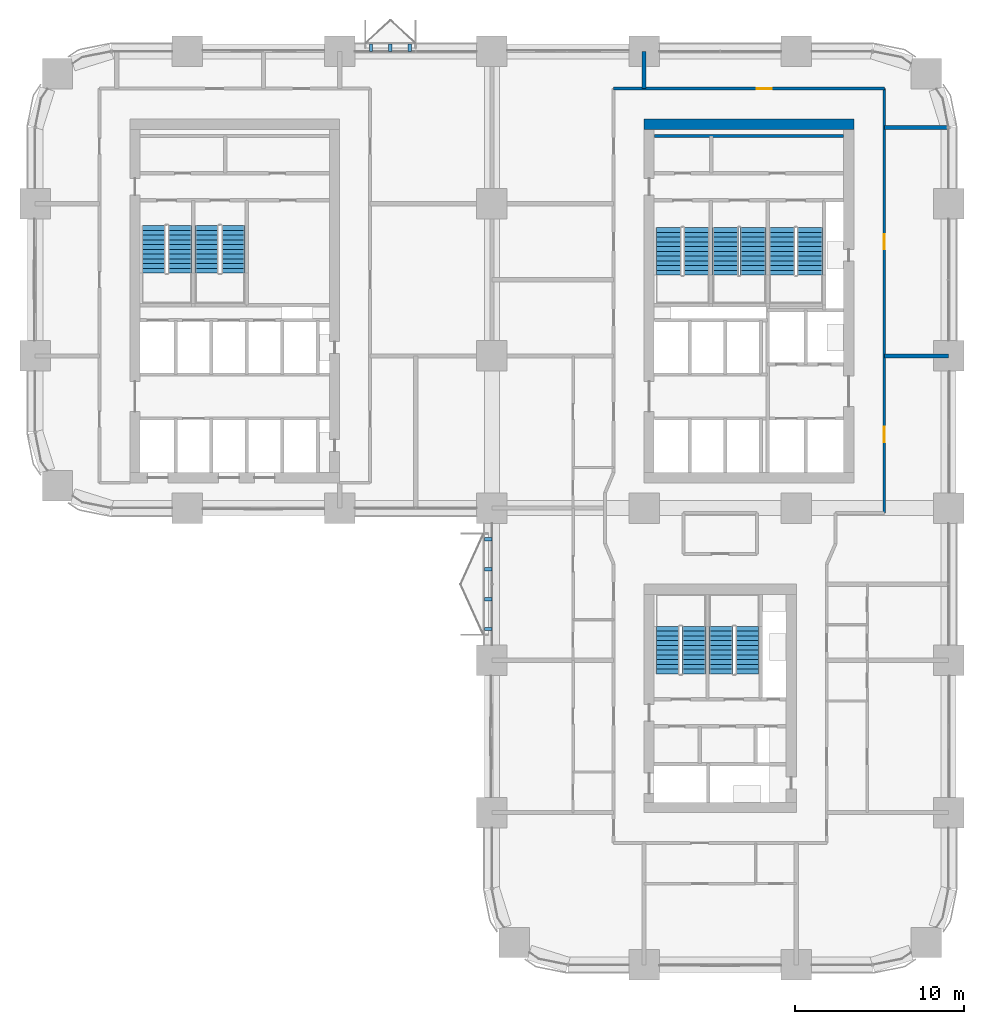
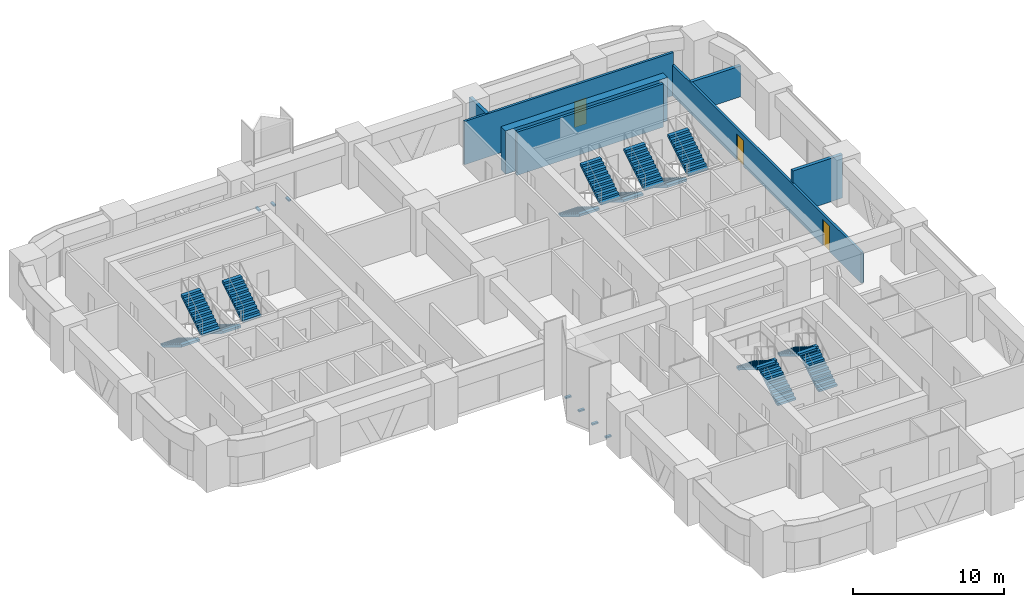
# One storey, part 16 of 18: 14 stair flights, 7 discrete accessories, 7 walls, 3 doors, 3 openings, 7 elements without a shape of their own.
"""IFC4 building model written with IfcOpenShell, lengths in metres."""

from ifc_helpers import new_model, si_unit, direction, frame, frame_2d, origin, origin_2d, place, context, subcontext, project, spatial, polyline, rectangle, outline, extrude, material, layer, layer_set, type_object, element, fill, aggregate, save


model = new_model("IFC4")

# Units and contexts
model_context = context("Model", 3, precision=1e-05, world=origin(), true_north=direction((0.0, 1.0)))
body_context = subcontext(model_context, "Body", "Model", "MODEL_VIEW")
ifc_project = project(units=[si_unit("LENGTHUNIT", "METRE"), si_unit("AREAUNIT", "SQUARE_METRE"), si_unit("VOLUMEUNIT", "CUBIC_METRE"), si_unit("PLANEANGLEUNIT", "RADIAN"), si_unit("MASSUNIT", "GRAM", prefix="KILO")], contexts=[model_context])

# Site, building, storey
site_placement = place(None, origin())
site = spatial("IfcSite", under=ifc_project, at=site_placement, CompositionType="ELEMENT")
building_placement = place(site_placement, origin())
building = spatial("IfcBuilding", under=site, at=building_placement, Name="Tessera Arch", CompositionType="ELEMENT")
storey_placement = place(building_placement, frame((0.0, 0.0, 100.60009765625)))
storey = spatial("IfcBuildingStorey", under=building, at=storey_placement, Name="L23", CompositionType="ELEMENT", Elevation=100.60009765625)

# Walls
ifc_material_1 = material(Name="Gypsum board on steel stud", Category="steel")
ifc_layer_1 = layer(ifc_material_1, 0.125)
ifc_layer_set_1 = layer_set([ifc_layer_1], Name="Core partition 125 EI 60")
wall_type_1 = type_object("IfcWallType", Name="Core partition 125 EI 60", PredefinedType="PARTITIONING", material=ifc_layer_set_1)
wall_1_placement = place(storey_placement, frame((36.60009765625, 49.0, 0.0), z_axis=(0.0, 0.0, 1.0), x_axis=(1.0, 0.0, 0.0)))
element("IfcWall", 1, at=wall_1_placement, inside=storey, type_object=wall_type_1, Name="L23 C1 partition wall 32", PredefinedType="PARTITIONING", context=body_context, shape_type="SweptSolid", body=[
    extrude(rectangle(XDim=11.199951171875, YDim=0.199951171875, at=frame_2d((5.60009765625, 0.0))), origin(), (0.0, 0.0, 1.0), 3.5),
])
ifc_material_2 = material(Name="Concrete C70/85", Category="concrete")
ifc_layer_2 = layer(ifc_material_2, 0.60009765625)
ifc_layer_set_2 = layer_set([ifc_layer_2], Name="Core shell wall 600 C70-85")
wall_type_2 = type_object("IfcWallType", Name="Core shell wall 600 C70-85", PredefinedType="SHEAR", material=ifc_layer_set_2)
wall_2_placement = place(storey_placement, frame((36.0, 49.699951171875, 0.0), z_axis=(0.0, 0.0, 1.0), x_axis=(1.0, 0.0, 0.0)))
element("IfcWall", 2, at=wall_2_placement, inside=storey, type_object=wall_type_2, Name="L23 C1 core wall N", PredefinedType="SHEAR", context=body_context, shape_type="SweptSolid", body=[
    extrude(rectangle(XDim=12.39990234375, YDim=0.60009765625, at=frame_2d((6.199951171875, 0.0))), origin(), (0.0, 0.0, 1.0), 3.5),
])

# Wall, opening, door
ifc_material_3 = material(Name="Gypsum board on deep steel stud with mineral wool", Category="steel")
ifc_layer_3 = layer(ifc_material_3, 0.175048828125)
ifc_layer_set_3 = layer_set([ifc_layer_3], Name="Corridor wall 175 EI 60")
wall_type_3 = type_object("IfcWallType", Name="Corridor wall 175 EI 60", PredefinedType="PARTITIONING", material=ifc_layer_set_3)
wall_3_placement = place(storey_placement, frame((34.199951171875, 51.800048828125, 0.0), z_axis=(0.0, 0.0, 1.0), x_axis=(1.0, 0.0, 0.0)))
wall_3 = element("IfcWall", 3, at=wall_3_placement, inside=storey, type_object=wall_type_3, Name="L23 partition 8", PredefinedType="PARTITIONING", context=body_context, shape_type="SweptSolid", body=[
    extrude(rectangle(XDim=16.0, YDim=0.175048828125, at=frame_2d((8.0, 0.0))), origin(), (0.0, 0.0, 1.0), 3.5),
])
opening_1_placement = place(wall_3_placement, frame((8.449951171875, 0.0, 0.0)))
opening_1 = element("IfcOpeningElement", 4, at=opening_1_placement, cuts=wall_3, Name="Opening L23-D033", PredefinedType="OPENING", context=body_context, shape_type="SweptSolid", body=[
    extrude(rectangle(XDim=0.89990234375, YDim=2.10009765625, at=frame_2d((0.449951171875, 1.050048828125))), frame((0.0, 0.097412109375, 0.0), z_axis=(0.0, -1.0, 0.0), x_axis=(1.0, 0.0, 0.0)), (0.0, 0.0, 1.0), 0.195068359375),
])
ifc_material_4 = material(Name="Timber door leaf", Category="wood")
door_type = type_object("IfcDoorType", Name="Room door 900 x 2100", OperationType="SINGLE_SWING_LEFT", PredefinedType="DOOR", material=ifc_material_4)
door_1_placement = place(opening_1_placement, origin())
door_1 = element("IfcDoor", 5, at=door_1_placement, inside=storey, type_object=door_type, Name="L23 door D033 type D01", OperationType="SINGLE_SWING_LEFT", OverallHeight=2.10009765625, OverallWidth=0.89990234375, PredefinedType="DOOR", context=body_context, shape_type="SweptSolid", body=[
    extrude(rectangle(XDim=0.89990234375, YDim=2.10009765625, at=frame_2d((0.449951171875, 1.050048828125))), frame((0.0, 0.02490234375, 0.0), z_axis=(0.0, -1.0, 0.0), x_axis=(1.0, 0.0, 0.0)), (0.0, 0.0, 1.0), 0.050048828125),
])
fill(opening_1, door_1)

# Wall, openings, doors
wall_4_placement = place(storey_placement, frame((50.199951171875, 26.699951171875, 0.0), z_axis=(0.0, 0.0, 1.0), x_axis=(0.0, 1.0, 0.0)))
wall_4 = element("IfcWall", 6, at=wall_4_placement, inside=storey, type_object=wall_type_3, Name="L23 partition 18", PredefinedType="PARTITIONING", context=body_context, shape_type="SweptSolid", body=[
    extrude(rectangle(XDim=25.10009765625, YDim=0.175048828125, at=frame_2d((12.550048828125, 0.0))), origin(), (0.0, 0.0, 1.0), 2.5),
])
opening_2_placement = place(wall_4_placement, frame((4.199951171875, 0.0, 0.0)))
opening_2 = element("IfcOpeningElement", 7, at=opening_2_placement, cuts=wall_4, Name="Opening L23-D019", PredefinedType="OPENING", context=body_context, shape_type="SweptSolid", body=[
    extrude(rectangle(XDim=0.89990234375, YDim=2.10009765625, at=frame_2d((0.449951171875, 1.050048828125))), frame((0.0, 0.097412109375, 0.0), z_axis=(0.0, -1.0, 0.0), x_axis=(1.0, 0.0, 0.0)), (0.0, 0.0, 1.0), 0.195068359375),
])
opening_3_placement = place(wall_4_placement, frame((15.60009765625, 0.0, 0.0)))
opening_3 = element("IfcOpeningElement", 8, at=opening_3_placement, cuts=wall_4, Name="Opening L23-D029", PredefinedType="OPENING", context=body_context, shape_type="SweptSolid", body=[
    extrude(rectangle(XDim=0.89990234375, YDim=2.10009765625, at=frame_2d((0.449951171875, 1.050048828125))), frame((0.0, 0.097412109375, 0.0), z_axis=(0.0, -1.0, 0.0), x_axis=(1.0, 0.0, 0.0)), (0.0, 0.0, 1.0), 0.195068359375),
])
door_2_placement = place(opening_2_placement, origin())
door_2 = element("IfcDoor", 9, at=door_2_placement, inside=storey, type_object=door_type, Name="L23 door D019 type D01", OperationType="SINGLE_SWING_RIGHT", OverallHeight=2.10009765625, OverallWidth=0.89990234375, PredefinedType="DOOR", context=body_context, shape_type="SweptSolid", body=[
    extrude(rectangle(XDim=0.89990234375, YDim=2.10009765625, at=frame_2d((0.449951171875, 1.050048828125))), frame((0.0, 0.02490234375, 0.0), z_axis=(0.0, -1.0, 0.0), x_axis=(1.0, 0.0, 0.0)), (0.0, 0.0, 1.0), 0.050048828125),
])
fill(opening_2, door_2)
door_3_placement = place(opening_3_placement, origin())
door_3 = element("IfcDoor", 10, at=door_3_placement, inside=storey, type_object=door_type, Name="L23 door D029 type D01", OperationType="SINGLE_SWING_RIGHT", OverallHeight=2.10009765625, OverallWidth=0.89990234375, PredefinedType="DOOR", context=body_context, shape_type="SweptSolid", body=[
    extrude(rectangle(XDim=0.89990234375, YDim=2.10009765625, at=frame_2d((0.449951171875, 1.050048828125))), frame((0.0, 0.02490234375, 0.0), z_axis=(0.0, -1.0, 0.0), x_axis=(1.0, 0.0, 0.0)), (0.0, 0.0, 1.0), 0.050048828125),
])
fill(opening_3, door_3)

# Walls
ifc_material_5 = material(Name="Double gypsum board on twin steel stud with acoustic mineral wool", Category="steel")
ifc_layer_4 = layer(ifc_material_5, 0.25)
ifc_layer_set_4 = layer_set([ifc_layer_4], Name="Party wall 250 EI 60")
wall_type_4 = type_object("IfcWallType", Name="Party wall 250 EI 60", PredefinedType="PARTITIONING", material=ifc_layer_set_4)
wall_5_placement = place(storey_placement, frame((50.199951171875, 36.0, 0.0), z_axis=(0.0, 0.0, 1.0), x_axis=(1.0, 0.0, 0.0)))
element("IfcWall", 11, at=wall_5_placement, inside=storey, type_object=wall_type_4, Name="L23 partition 33", PredefinedType="PARTITIONING", context=body_context, shape_type="SweptSolid", body=[
    extrude(rectangle(XDim=3.800048828125, YDim=0.25, at=frame_2d((1.89990234375, 0.0))), origin(), (0.0, 0.0, 1.0), 3.5),
])
wall_6_placement = place(storey_placement, frame((50.199951171875, 49.5, 0.0), z_axis=(0.0, 0.0, 1.0), x_axis=(1.0, 0.0, 0.0)))
element("IfcWall", 12, at=wall_6_placement, inside=storey, type_object=wall_type_4, Name="L23 partition 37", PredefinedType="PARTITIONING", context=body_context, shape_type="SweptSolid", body=[
    extrude(rectangle(XDim=3.800048828125, YDim=0.25, at=frame_2d((1.89990234375, 0.0))), origin(), (0.0, 0.0, 1.0), 2.5),
])
wall_7_placement = place(storey_placement, frame((36.0, 51.800048828125, 0.0), z_axis=(0.0, 0.0, 1.0), x_axis=(0.0, 1.0, 0.0)))
element("IfcWall", 13, at=wall_7_placement, inside=storey, type_object=wall_type_4, Name="L23 partition 45", PredefinedType="PARTITIONING", context=body_context, shape_type="SweptSolid", body=[
    extrude(rectangle(XDim=2.199951171875, YDim=0.25, at=frame_2d((1.10009765625, 0.0))), origin(), (0.0, 0.0, 1.0), 3.5),
])

# Stair, stair flights
ifc_material_6 = material(Name="Concrete C40/50", Category="concrete")
stair_type_1 = type_object("IfcStairType", Name="Dogleg stair 1400", PredefinedType="HALF_TURN_STAIR", material=ifc_material_6)
stair_1_placement = place(storey_placement, origin())
stair_1 = element("IfcStair", 14, at=stair_1_placement, inside=storey, type_object=stair_type_1, Name="L23 S2a", PredefinedType="HALF_TURN_STAIR")
ifc_material_7 = material(Name="Concrete C40/50", Category="concrete")
stair_flight_type_1 = type_object("IfcStairFlightType", Name="Stair flight 1400", PredefinedType="STRAIGHT", material=ifc_material_7)
stair_flight_1_placement = place(storey_placement, frame((7.0, 43.699951171875, 0.0), z_axis=(0.0, 0.0, 1.0), x_axis=(0.0, -1.0, 0.0)))
stair_flight_1 = element("IfcStairFlight", 15, at=stair_flight_1_placement, type_object=stair_flight_type_1, Name="S2a flight 1", NumberOfRisers=11, NumberOfTreads=10, PredefinedType="STRAIGHT", RiserHeight=0.172727273, TreadLength=0.28, context=body_context, shape_type="SweptSolid", body=[
    extrude(outline(polyline([(0.0, 0.0), (0.0, 0.172607421875), (0.280029296875, 0.172607421875), (0.280029296875, 0.345458984375), (0.56005859375, 0.345458984375), (0.56005859375, 0.51806640625), (0.840087890625, 0.51806640625), (0.840087890625, 0.69091796875), (1.1201171875, 0.69091796875), (1.1201171875, 0.863525390625), (1.39990234375, 0.863525390625), (1.39990234375, 1.036376953125), (1.679931640625, 1.036376953125), (1.679931640625, 1.208984375), (1.9599609375, 1.208984375), (1.9599609375, 1.3818359375), (2.239990234375, 1.3818359375), (2.239990234375, 1.554443359375), (2.52001953125, 1.554443359375), (2.52001953125, 1.727294921875), (2.800048828125, 1.727294921875), (2.800048828125, 1.89990234375), (2.800048828125, 1.551025390625), (0.285400390625, 0.0), (0.0, 0.0)])), frame((0.0, 0.699951171875, 0.0), z_axis=(0.0, -1.0, 0.0), x_axis=(1.0, 0.0, 0.0)), (0.0, 0.0, 1.0), 1.39990234375),
])
stair_flight_2_placement = place(storey_placement, frame((8.550048828125, 40.89990234375, 1.89990234375), z_axis=(0.0, 0.0, 1.0), x_axis=(0.0, 1.0, 0.0)))
stair_flight_2 = element("IfcStairFlight", 16, at=stair_flight_2_placement, type_object=stair_flight_type_1, Name="S2a flight 2", NumberOfRisers=11, NumberOfTreads=10, PredefinedType="STRAIGHT", RiserHeight=0.172727273, TreadLength=0.28, context=body_context, shape_type="SweptSolid", body=[
    extrude(outline(polyline([(0.0, 0.0), (0.0, 0.172607421875), (0.280029296875, 0.172607421875), (0.280029296875, 0.345458984375), (0.56005859375, 0.345458984375), (0.56005859375, 0.51806640625), (0.840087890625, 0.51806640625), (0.840087890625, 0.69091796875), (1.1201171875, 0.69091796875), (1.1201171875, 0.863525390625), (1.39990234375, 0.863525390625), (1.39990234375, 1.036376953125), (1.679931640625, 1.036376953125), (1.679931640625, 1.208984375), (1.9599609375, 1.208984375), (1.9599609375, 1.3818359375), (2.239990234375, 1.3818359375), (2.239990234375, 1.554443359375), (2.52001953125, 1.554443359375), (2.52001953125, 1.727294921875), (2.800048828125, 1.727294921875), (2.800048828125, 1.89990234375), (2.800048828125, 1.551025390625), (0.285400390625, 0.0), (0.0, 0.0)])), frame((0.0, 0.699951171875, 0.0), z_axis=(0.0, -1.0, 0.0), x_axis=(1.0, 0.0, 0.0)), (0.0, 0.0, 1.0), 1.39990234375),
])
aggregate(stair_1, [stair_flight_1, stair_flight_2])

stair_2_placement = place(storey_placement, origin())
stair_2 = element("IfcStair", 17, at=stair_2_placement, inside=storey, type_object=stair_type_1, Name="L23 S2b", PredefinedType="HALF_TURN_STAIR")
stair_flight_3_placement = place(storey_placement, frame((10.14990234375, 43.699951171875, 0.0), z_axis=(0.0, 0.0, 1.0), x_axis=(0.0, -1.0, 0.0)))
stair_flight_3 = element("IfcStairFlight", 18, at=stair_flight_3_placement, type_object=stair_flight_type_1, Name="S2b flight 1", NumberOfRisers=11, NumberOfTreads=10, PredefinedType="STRAIGHT", RiserHeight=0.172727273, TreadLength=0.28, context=body_context, shape_type="SweptSolid", body=[
    extrude(outline(polyline([(0.0, 0.0), (0.0, 0.172607421875), (0.280029296875, 0.172607421875), (0.280029296875, 0.345458984375), (0.56005859375, 0.345458984375), (0.56005859375, 0.51806640625), (0.840087890625, 0.51806640625), (0.840087890625, 0.69091796875), (1.1201171875, 0.69091796875), (1.1201171875, 0.863525390625), (1.39990234375, 0.863525390625), (1.39990234375, 1.036376953125), (1.679931640625, 1.036376953125), (1.679931640625, 1.208984375), (1.9599609375, 1.208984375), (1.9599609375, 1.3818359375), (2.239990234375, 1.3818359375), (2.239990234375, 1.554443359375), (2.52001953125, 1.554443359375), (2.52001953125, 1.727294921875), (2.800048828125, 1.727294921875), (2.800048828125, 1.89990234375), (2.800048828125, 1.551025390625), (0.285400390625, 0.0), (0.0, 0.0)])), frame((0.0, 0.699951171875, 0.0), z_axis=(0.0, -1.0, 0.0), x_axis=(1.0, 0.0, 0.0)), (0.0, 0.0, 1.0), 1.39990234375),
])
stair_flight_4_placement = place(storey_placement, frame((11.699951171875, 40.89990234375, 1.89990234375), z_axis=(0.0, 0.0, 1.0), x_axis=(0.0, 1.0, 0.0)))
stair_flight_4 = element("IfcStairFlight", 19, at=stair_flight_4_placement, type_object=stair_flight_type_1, Name="S2b flight 2", NumberOfRisers=11, NumberOfTreads=10, PredefinedType="STRAIGHT", RiserHeight=0.172727273, TreadLength=0.28, context=body_context, shape_type="SweptSolid", body=[
    extrude(outline(polyline([(0.0, 0.0), (0.0, 0.172607421875), (0.280029296875, 0.172607421875), (0.280029296875, 0.345458984375), (0.56005859375, 0.345458984375), (0.56005859375, 0.51806640625), (0.840087890625, 0.51806640625), (0.840087890625, 0.69091796875), (1.1201171875, 0.69091796875), (1.1201171875, 0.863525390625), (1.39990234375, 0.863525390625), (1.39990234375, 1.036376953125), (1.679931640625, 1.036376953125), (1.679931640625, 1.208984375), (1.9599609375, 1.208984375), (1.9599609375, 1.3818359375), (2.239990234375, 1.3818359375), (2.239990234375, 1.554443359375), (2.52001953125, 1.554443359375), (2.52001953125, 1.727294921875), (2.800048828125, 1.727294921875), (2.800048828125, 1.89990234375), (2.800048828125, 1.551025390625), (0.285400390625, 0.0), (0.0, 0.0)])), frame((0.0, 0.699951171875, 0.0), z_axis=(0.0, -1.0, 0.0), x_axis=(1.0, 0.0, 0.0)), (0.0, 0.0, 1.0), 1.39990234375),
])
aggregate(stair_2, [stair_flight_3, stair_flight_4])

stair_3_placement = place(storey_placement, origin())
stair_3 = element("IfcStair", 20, at=stair_3_placement, inside=storey, type_object=stair_type_1, Name="L23 S3a", PredefinedType="HALF_TURN_STAIR")
stair_flight_5_placement = place(storey_placement, frame((38.949951171875, 17.199951171875, 0.0), z_axis=(0.0, 0.0, 1.0), x_axis=(0.0, 1.0, 0.0)))
stair_flight_5 = element("IfcStairFlight", 21, at=stair_flight_5_placement, type_object=stair_flight_type_1, Name="S3a flight 1", NumberOfRisers=11, NumberOfTreads=10, PredefinedType="STRAIGHT", RiserHeight=0.172727273, TreadLength=0.28, context=body_context, shape_type="SweptSolid", body=[
    extrude(outline(polyline([(0.0, 0.0), (0.0, 0.172607421875), (0.280029296875, 0.172607421875), (0.280029296875, 0.345458984375), (0.56005859375, 0.345458984375), (0.56005859375, 0.51806640625), (0.840087890625, 0.51806640625), (0.840087890625, 0.69091796875), (1.1201171875, 0.69091796875), (1.1201171875, 0.863525390625), (1.39990234375, 0.863525390625), (1.39990234375, 1.036376953125), (1.679931640625, 1.036376953125), (1.679931640625, 1.208984375), (1.9599609375, 1.208984375), (1.9599609375, 1.3818359375), (2.239990234375, 1.3818359375), (2.239990234375, 1.554443359375), (2.52001953125, 1.554443359375), (2.52001953125, 1.727294921875), (2.800048828125, 1.727294921875), (2.800048828125, 1.89990234375), (2.800048828125, 1.551025390625), (0.285400390625, 0.0), (0.0, 0.0)])), frame((0.0, 0.699951171875, 0.0), z_axis=(0.0, -1.0, 0.0), x_axis=(1.0, 0.0, 0.0)), (0.0, 0.0, 1.0), 1.39990234375),
])
stair_flight_6_placement = place(storey_placement, frame((37.39990234375, 20.0, 1.89990234375), z_axis=(0.0, 0.0, 1.0), x_axis=(0.0, -1.0, 0.0)))
stair_flight_6 = element("IfcStairFlight", 22, at=stair_flight_6_placement, type_object=stair_flight_type_1, Name="S3a flight 2", NumberOfRisers=11, NumberOfTreads=10, PredefinedType="STRAIGHT", RiserHeight=0.172727273, TreadLength=0.28, context=body_context, shape_type="SweptSolid", body=[
    extrude(outline(polyline([(0.0, 0.0), (0.0, 0.172607421875), (0.280029296875, 0.172607421875), (0.280029296875, 0.345458984375), (0.56005859375, 0.345458984375), (0.56005859375, 0.51806640625), (0.840087890625, 0.51806640625), (0.840087890625, 0.69091796875), (1.1201171875, 0.69091796875), (1.1201171875, 0.863525390625), (1.39990234375, 0.863525390625), (1.39990234375, 1.036376953125), (1.679931640625, 1.036376953125), (1.679931640625, 1.208984375), (1.9599609375, 1.208984375), (1.9599609375, 1.3818359375), (2.239990234375, 1.3818359375), (2.239990234375, 1.554443359375), (2.52001953125, 1.554443359375), (2.52001953125, 1.727294921875), (2.800048828125, 1.727294921875), (2.800048828125, 1.89990234375), (2.800048828125, 1.551025390625), (0.285400390625, 0.0), (0.0, 0.0)])), frame((0.0, 0.699951171875, 0.0), z_axis=(0.0, -1.0, 0.0), x_axis=(1.0, 0.0, 0.0)), (0.0, 0.0, 1.0), 1.39990234375),
])
aggregate(stair_3, [stair_flight_5, stair_flight_6])

stair_4_placement = place(storey_placement, origin())
stair_4 = element("IfcStair", 23, at=stair_4_placement, inside=storey, type_object=stair_type_1, Name="L23 S3b", PredefinedType="HALF_TURN_STAIR")
stair_flight_7_placement = place(storey_placement, frame((42.10009765625, 17.199951171875, 0.0), z_axis=(0.0, 0.0, 1.0), x_axis=(0.0, 1.0, 0.0)))
stair_flight_7 = element("IfcStairFlight", 24, at=stair_flight_7_placement, type_object=stair_flight_type_1, Name="S3b flight 1", NumberOfRisers=11, NumberOfTreads=10, PredefinedType="STRAIGHT", RiserHeight=0.172727273, TreadLength=0.28, context=body_context, shape_type="SweptSolid", body=[
    extrude(outline(polyline([(0.0, 0.0), (0.0, 0.172607421875), (0.280029296875, 0.172607421875), (0.280029296875, 0.345458984375), (0.56005859375, 0.345458984375), (0.56005859375, 0.51806640625), (0.840087890625, 0.51806640625), (0.840087890625, 0.69091796875), (1.1201171875, 0.69091796875), (1.1201171875, 0.863525390625), (1.39990234375, 0.863525390625), (1.39990234375, 1.036376953125), (1.679931640625, 1.036376953125), (1.679931640625, 1.208984375), (1.9599609375, 1.208984375), (1.9599609375, 1.3818359375), (2.239990234375, 1.3818359375), (2.239990234375, 1.554443359375), (2.52001953125, 1.554443359375), (2.52001953125, 1.727294921875), (2.800048828125, 1.727294921875), (2.800048828125, 1.89990234375), (2.800048828125, 1.551025390625), (0.285400390625, 0.0), (0.0, 0.0)])), frame((0.0, 0.699951171875, 0.0), z_axis=(0.0, -1.0, 0.0), x_axis=(1.0, 0.0, 0.0)), (0.0, 0.0, 1.0), 1.39990234375),
])
stair_flight_8_placement = place(storey_placement, frame((40.550048828125, 20.0, 1.89990234375), z_axis=(0.0, 0.0, 1.0), x_axis=(0.0, -1.0, 0.0)))
stair_flight_8 = element("IfcStairFlight", 25, at=stair_flight_8_placement, type_object=stair_flight_type_1, Name="S3b flight 2", NumberOfRisers=11, NumberOfTreads=10, PredefinedType="STRAIGHT", RiserHeight=0.172727273, TreadLength=0.28, context=body_context, shape_type="SweptSolid", body=[
    extrude(outline(polyline([(0.0, 0.0), (0.0, 0.172607421875), (0.280029296875, 0.172607421875), (0.280029296875, 0.345458984375), (0.56005859375, 0.345458984375), (0.56005859375, 0.51806640625), (0.840087890625, 0.51806640625), (0.840087890625, 0.69091796875), (1.1201171875, 0.69091796875), (1.1201171875, 0.863525390625), (1.39990234375, 0.863525390625), (1.39990234375, 1.036376953125), (1.679931640625, 1.036376953125), (1.679931640625, 1.208984375), (1.9599609375, 1.208984375), (1.9599609375, 1.3818359375), (2.239990234375, 1.3818359375), (2.239990234375, 1.554443359375), (2.52001953125, 1.554443359375), (2.52001953125, 1.727294921875), (2.800048828125, 1.727294921875), (2.800048828125, 1.89990234375), (2.800048828125, 1.551025390625), (0.285400390625, 0.0), (0.0, 0.0)])), frame((0.0, 0.699951171875, 0.0), z_axis=(0.0, -1.0, 0.0), x_axis=(1.0, 0.0, 0.0)), (0.0, 0.0, 1.0), 1.39990234375),
])
aggregate(stair_4, [stair_flight_7, stair_flight_8])

ifc_material_8 = material(Name="Concrete C40/50", Category="concrete")
stair_type_2 = type_object("IfcStairType", Name="Dogleg stair 1520", PredefinedType="HALF_TURN_STAIR", material=ifc_material_8)
stair_5_placement = place(storey_placement, origin())
stair_5 = element("IfcStair", 26, at=stair_5_placement, inside=storey, type_object=stair_type_2, Name="L23 S1a", PredefinedType="HALF_TURN_STAIR")
ifc_material_9 = material(Name="Concrete C40/50", Category="concrete")
stair_flight_type_2 = type_object("IfcStairFlightType", Name="Stair flight 1520", PredefinedType="STRAIGHT", material=ifc_material_9)
stair_flight_9_placement = place(storey_placement, frame((37.4599609375, 43.580078125, 0.0), z_axis=(0.0, 0.0, 1.0), x_axis=(0.0, -1.0, 0.0)))
stair_flight_9 = element("IfcStairFlight", 27, at=stair_flight_9_placement, type_object=stair_flight_type_2, Name="S1a flight 1", NumberOfRisers=11, NumberOfTreads=10, PredefinedType="STRAIGHT", RiserHeight=0.172727273, TreadLength=0.28, context=body_context, shape_type="SweptSolid", body=[
    extrude(outline(polyline([(0.0, 0.0), (0.0, 0.172607421875), (0.280029296875, 0.172607421875), (0.280029296875, 0.345458984375), (0.56005859375, 0.345458984375), (0.56005859375, 0.51806640625), (0.840087890625, 0.51806640625), (0.840087890625, 0.69091796875), (1.1201171875, 0.69091796875), (1.1201171875, 0.863525390625), (1.39990234375, 0.863525390625), (1.39990234375, 1.036376953125), (1.679931640625, 1.036376953125), (1.679931640625, 1.208984375), (1.9599609375, 1.208984375), (1.9599609375, 1.3818359375), (2.239990234375, 1.3818359375), (2.239990234375, 1.554443359375), (2.52001953125, 1.554443359375), (2.52001953125, 1.727294921875), (2.800048828125, 1.727294921875), (2.800048828125, 1.89990234375), (2.800048828125, 1.551025390625), (0.285400390625, 0.0), (0.0, 0.0)])), frame((0.0, 0.760009765625, 0.0), z_axis=(0.0, -1.0, 0.0), x_axis=(1.0, 0.0, 0.0)), (0.0, 0.0, 1.0), 1.52001953125),
])
stair_flight_10_placement = place(storey_placement, frame((39.090087890625, 40.780029296875, 1.89990234375), z_axis=(0.0, 0.0, 1.0), x_axis=(0.0, 1.0, 0.0)))
stair_flight_10 = element("IfcStairFlight", 28, at=stair_flight_10_placement, type_object=stair_flight_type_2, Name="S1a flight 2", NumberOfRisers=11, NumberOfTreads=10, PredefinedType="STRAIGHT", RiserHeight=0.172727273, TreadLength=0.28, context=body_context, shape_type="SweptSolid", body=[
    extrude(outline(polyline([(0.0, 0.0), (0.0, 0.172607421875), (0.280029296875, 0.172607421875), (0.280029296875, 0.345458984375), (0.56005859375, 0.345458984375), (0.56005859375, 0.51806640625), (0.840087890625, 0.51806640625), (0.840087890625, 0.69091796875), (1.1201171875, 0.69091796875), (1.1201171875, 0.863525390625), (1.39990234375, 0.863525390625), (1.39990234375, 1.036376953125), (1.679931640625, 1.036376953125), (1.679931640625, 1.208984375), (1.9599609375, 1.208984375), (1.9599609375, 1.3818359375), (2.239990234375, 1.3818359375), (2.239990234375, 1.554443359375), (2.52001953125, 1.554443359375), (2.52001953125, 1.727294921875), (2.800048828125, 1.727294921875), (2.800048828125, 1.89990234375), (2.800048828125, 1.551025390625), (0.285400390625, 0.0), (0.0, 0.0)])), frame((0.0, 0.760009765625, 0.0), z_axis=(0.0, -1.0, 0.0), x_axis=(1.0, 0.0, 0.0)), (0.0, 0.0, 1.0), 1.52001953125),
])
aggregate(stair_5, [stair_flight_9, stair_flight_10])

stair_6_placement = place(storey_placement, origin())
stair_6 = element("IfcStair", 29, at=stair_6_placement, inside=storey, type_object=stair_type_2, Name="L23 S1b", PredefinedType="HALF_TURN_STAIR")
stair_flight_11_placement = place(storey_placement, frame((40.81005859375, 43.580078125, 0.0), z_axis=(0.0, 0.0, 1.0), x_axis=(0.0, -1.0, 0.0)))
stair_flight_11 = element("IfcStairFlight", 30, at=stair_flight_11_placement, type_object=stair_flight_type_2, Name="S1b flight 1", NumberOfRisers=11, NumberOfTreads=10, PredefinedType="STRAIGHT", RiserHeight=0.172727273, TreadLength=0.28, context=body_context, shape_type="SweptSolid", body=[
    extrude(outline(polyline([(0.0, 0.0), (0.0, 0.172607421875), (0.280029296875, 0.172607421875), (0.280029296875, 0.345458984375), (0.56005859375, 0.345458984375), (0.56005859375, 0.51806640625), (0.840087890625, 0.51806640625), (0.840087890625, 0.69091796875), (1.1201171875, 0.69091796875), (1.1201171875, 0.863525390625), (1.39990234375, 0.863525390625), (1.39990234375, 1.036376953125), (1.679931640625, 1.036376953125), (1.679931640625, 1.208984375), (1.9599609375, 1.208984375), (1.9599609375, 1.3818359375), (2.239990234375, 1.3818359375), (2.239990234375, 1.554443359375), (2.52001953125, 1.554443359375), (2.52001953125, 1.727294921875), (2.800048828125, 1.727294921875), (2.800048828125, 1.89990234375), (2.800048828125, 1.551025390625), (0.285400390625, 0.0), (0.0, 0.0)])), frame((0.0, 0.760009765625, 0.0), z_axis=(0.0, -1.0, 0.0), x_axis=(1.0, 0.0, 0.0)), (0.0, 0.0, 1.0), 1.52001953125),
])
stair_flight_12_placement = place(storey_placement, frame((42.43994140625, 40.780029296875, 1.89990234375), z_axis=(0.0, 0.0, 1.0), x_axis=(0.0, 1.0, 0.0)))
stair_flight_12 = element("IfcStairFlight", 31, at=stair_flight_12_placement, type_object=stair_flight_type_2, Name="S1b flight 2", NumberOfRisers=11, NumberOfTreads=10, PredefinedType="STRAIGHT", RiserHeight=0.172727273, TreadLength=0.28, context=body_context, shape_type="SweptSolid", body=[
    extrude(outline(polyline([(0.0, 0.0), (0.0, 0.172607421875), (0.280029296875, 0.172607421875), (0.280029296875, 0.345458984375), (0.56005859375, 0.345458984375), (0.56005859375, 0.51806640625), (0.840087890625, 0.51806640625), (0.840087890625, 0.69091796875), (1.1201171875, 0.69091796875), (1.1201171875, 0.863525390625), (1.39990234375, 0.863525390625), (1.39990234375, 1.036376953125), (1.679931640625, 1.036376953125), (1.679931640625, 1.208984375), (1.9599609375, 1.208984375), (1.9599609375, 1.3818359375), (2.239990234375, 1.3818359375), (2.239990234375, 1.554443359375), (2.52001953125, 1.554443359375), (2.52001953125, 1.727294921875), (2.800048828125, 1.727294921875), (2.800048828125, 1.89990234375), (2.800048828125, 1.551025390625), (0.285400390625, 0.0), (0.0, 0.0)])), frame((0.0, 0.760009765625, 0.0), z_axis=(0.0, -1.0, 0.0), x_axis=(1.0, 0.0, 0.0)), (0.0, 0.0, 1.0), 1.52001953125),
])
aggregate(stair_6, [stair_flight_11, stair_flight_12])

stair_7_placement = place(storey_placement, origin())
stair_7 = element("IfcStair", 32, at=stair_7_placement, inside=storey, type_object=stair_type_2, Name="L23 S1c", PredefinedType="HALF_TURN_STAIR")
stair_flight_13_placement = place(storey_placement, frame((44.159912109375, 43.580078125, 0.0), z_axis=(0.0, 0.0, 1.0), x_axis=(0.0, -1.0, 0.0)))
stair_flight_13 = element("IfcStairFlight", 33, at=stair_flight_13_placement, type_object=stair_flight_type_2, Name="S1c flight 1", NumberOfRisers=11, NumberOfTreads=10, PredefinedType="STRAIGHT", RiserHeight=0.172727273, TreadLength=0.28, context=body_context, shape_type="SweptSolid", body=[
    extrude(outline(polyline([(0.0, 0.0), (0.0, 0.172607421875), (0.280029296875, 0.172607421875), (0.280029296875, 0.345458984375), (0.56005859375, 0.345458984375), (0.56005859375, 0.51806640625), (0.840087890625, 0.51806640625), (0.840087890625, 0.69091796875), (1.1201171875, 0.69091796875), (1.1201171875, 0.863525390625), (1.39990234375, 0.863525390625), (1.39990234375, 1.036376953125), (1.679931640625, 1.036376953125), (1.679931640625, 1.208984375), (1.9599609375, 1.208984375), (1.9599609375, 1.3818359375), (2.239990234375, 1.3818359375), (2.239990234375, 1.554443359375), (2.52001953125, 1.554443359375), (2.52001953125, 1.727294921875), (2.800048828125, 1.727294921875), (2.800048828125, 1.89990234375), (2.800048828125, 1.551025390625), (0.285400390625, 0.0), (0.0, 0.0)])), frame((0.0, 0.760009765625, 0.0), z_axis=(0.0, -1.0, 0.0), x_axis=(1.0, 0.0, 0.0)), (0.0, 0.0, 1.0), 1.52001953125),
])
stair_flight_14_placement = place(storey_placement, frame((45.7900390625, 40.780029296875, 1.89990234375), z_axis=(0.0, 0.0, 1.0), x_axis=(0.0, 1.0, 0.0)))
stair_flight_14 = element("IfcStairFlight", 34, at=stair_flight_14_placement, type_object=stair_flight_type_2, Name="S1c flight 2", NumberOfRisers=11, NumberOfTreads=10, PredefinedType="STRAIGHT", RiserHeight=0.172727273, TreadLength=0.28, context=body_context, shape_type="SweptSolid", body=[
    extrude(outline(polyline([(0.0, 0.0), (0.0, 0.172607421875), (0.280029296875, 0.172607421875), (0.280029296875, 0.345458984375), (0.56005859375, 0.345458984375), (0.56005859375, 0.51806640625), (0.840087890625, 0.51806640625), (0.840087890625, 0.69091796875), (1.1201171875, 0.69091796875), (1.1201171875, 0.863525390625), (1.39990234375, 0.863525390625), (1.39990234375, 1.036376953125), (1.679931640625, 1.036376953125), (1.679931640625, 1.208984375), (1.9599609375, 1.208984375), (1.9599609375, 1.3818359375), (2.239990234375, 1.3818359375), (2.239990234375, 1.554443359375), (2.52001953125, 1.554443359375), (2.52001953125, 1.727294921875), (2.800048828125, 1.727294921875), (2.800048828125, 1.89990234375), (2.800048828125, 1.551025390625), (0.285400390625, 0.0), (0.0, 0.0)])), frame((0.0, 0.760009765625, 0.0), z_axis=(0.0, -1.0, 0.0), x_axis=(1.0, 0.0, 0.0)), (0.0, 0.0, 1.0), 1.52001953125),
])
aggregate(stair_7, [stair_flight_13, stair_flight_14])

# Discrete accessories
for number, where, z_axis, x_axis, name in (
    (35, (22.14990234375, 54.219970703125, -0.1201171875), (0.0, 0.0, 1.0), (0.0, 1.0, 0.0), "Window box bracket"),
    (36, (21.0, 54.219970703125, -0.1201171875), (0.0, 0.0, 1.0), (0.0, 1.0, 0.0), "Window box bracket"),
    (37, (19.85009765625, 54.219970703125, -0.1201171875), (0.0, 0.0, 1.0), (0.0, 1.0, 0.0), "Window box bracket"),
    (38, (26.780029296875, 25.14990234375, -0.1201171875), (0.0, 0.0, 1.0), (-1.0, 0.0, 0.0), "Window box bracket"),
    (39, (26.780029296875, 23.38330078125, -0.1201171875), (0.0, 0.0, 1.0), (-1.0, 0.0, 0.0), "Window box bracket"),
    (40, (26.780029296875, 21.61669921875, -0.1201171875), (0.0, 0.0, 1.0), (-1.0, 0.0, 0.0), "Window box bracket"),
    (41, (26.780029296875, 19.85009765625, -0.1201171875), (0.0, 0.0, 1.0), (-1.0, 0.0, 0.0), "Window box bracket"),
):
    element("IfcDiscreteAccessory", number, at=place(storey_placement, frame(where, z_axis=z_axis, x_axis=x_axis)), inside=storey, Name=name, PredefinedType="BRACKET", context=body_context, shape_type="SweptSolid", body=[
        extrude(rectangle(XDim=0.43994140625, YDim=0.199951171875, at=origin_2d()), origin(), (0.0, 0.0, 1.0), 0.1201171875),
    ])

save(model, "model.ifc")
